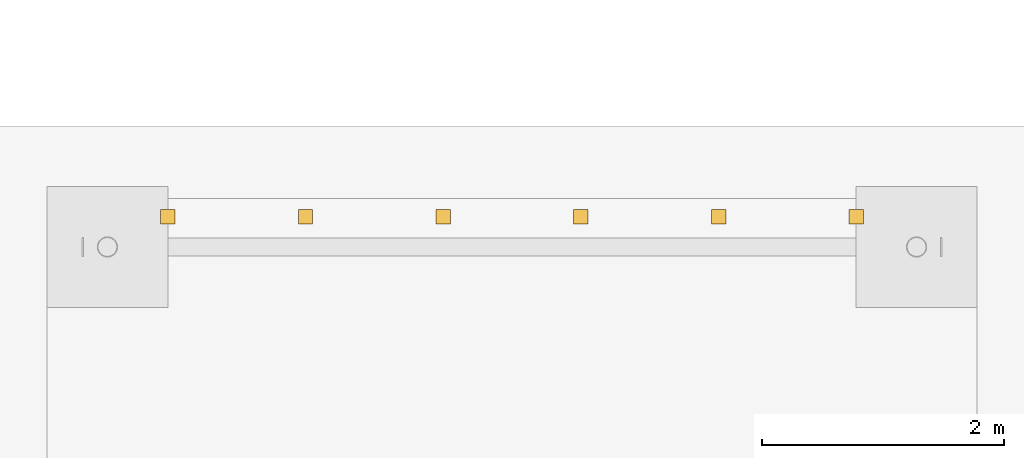
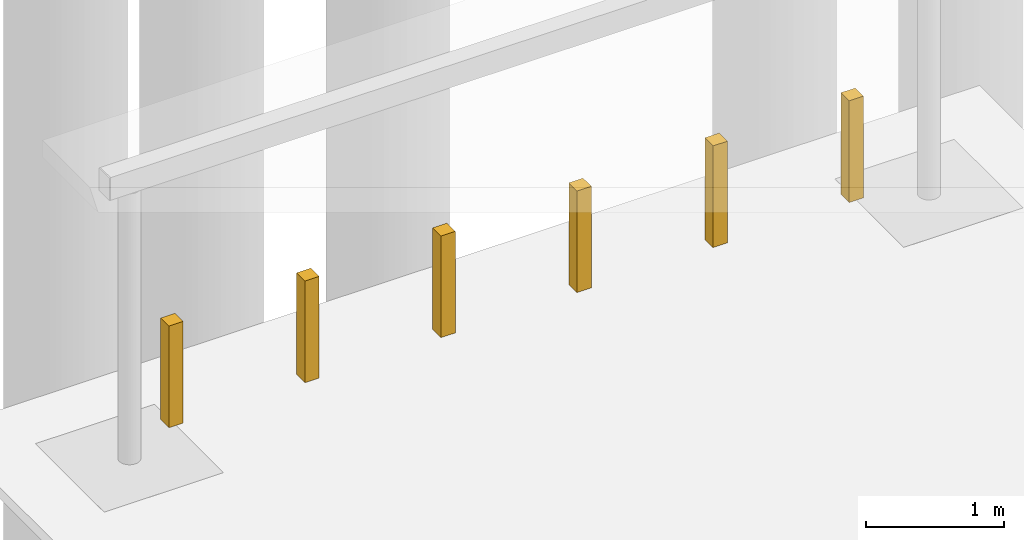
# One storey, part 92 of 99: 6 coverings.
"""IFC4 building model written with IfcOpenShell, lengths in metres."""

from ifc_helpers import new_model, si_unit, direction, origin, place, context, subcontext, project, spatial, polyline, outline, extrude, material, layer, layer_set, type_object, element, save


model = new_model("IFC4")

# Units and contexts
model_context = context("Model", 3, precision=1e-05, world=origin(), true_north=direction((0.0, 1.0)))
body_context = subcontext(model_context, "Body", "Model", "MODEL_VIEW")
ifc_project = project(units=[si_unit("LENGTHUNIT", "METRE"), si_unit("AREAUNIT", "SQUARE_METRE"), si_unit("VOLUMEUNIT", "CUBIC_METRE"), si_unit("PLANEANGLEUNIT", "RADIAN"), si_unit("MASSUNIT", "GRAM", prefix="KILO")], contexts=[model_context])

# Site, building, storey
site_placement = place(None, origin())
site = spatial("IfcSite", under=ifc_project, at=site_placement, CompositionType="ELEMENT")
building_placement = place(site_placement, origin())
building = spatial("IfcBuilding", under=site, at=building_placement, Name="Cour d'Honneur Mobility Palace", CompositionType="ELEMENT")
storey_placement = place(building_placement, origin())
storey = spatial("IfcBuildingStorey", under=building, at=storey_placement, Name="L00", CompositionType="ELEMENT", Elevation=0.0)

# Coverings
ifc_material = material(Name="Galvanised steel", Category="steel")
ifc_layer = layer(ifc_material, 0.10009765625)
ifc_layer_set = layer_set([ifc_layer], Name="Galvanised steel")
covering_type = type_object("IfcCoveringType", Name="Bicycle dock", PredefinedType="CLADDING", material=ifc_layer_set)
covering_1_placement = place(storey_placement, origin())
element("IfcCovering", 1, at=covering_1_placement, inside=storey, type_object=covering_type, Name="Bicycle dock BD-E1", PredefinedType="CLADDING", context=body_context, shape_type="SweptSolid", body=[
    extrude(outline(polyline([(115.639892578125, 19.7900390625), (115.760009765625, 19.7900390625), (115.760009765625, 19.909912109375), (115.639892578125, 19.909912109375), (115.639892578125, 19.7900390625)])), origin(), (0.0, 0.0, 1.0), 0.89990234375),
])
covering_2_placement = place(storey_placement, origin())
element("IfcCovering", 2, at=covering_2_placement, inside=storey, type_object=covering_type, Name="Bicycle dock BD-E2", PredefinedType="CLADDING", context=body_context, shape_type="SweptSolid", body=[
    extrude(outline(polyline([(116.780029296875, 19.7900390625), (116.89990234375, 19.7900390625), (116.89990234375, 19.909912109375), (116.780029296875, 19.909912109375), (116.780029296875, 19.7900390625)])), origin(), (0.0, 0.0, 1.0), 0.89990234375),
])
covering_3_placement = place(storey_placement, origin())
element("IfcCovering", 3, at=covering_3_placement, inside=storey, type_object=covering_type, Name="Bicycle dock BD-E3", PredefinedType="CLADDING", context=body_context, shape_type="SweptSolid", body=[
    extrude(outline(polyline([(117.919921875, 19.7900390625), (118.0400390625, 19.7900390625), (118.0400390625, 19.909912109375), (117.919921875, 19.909912109375), (117.919921875, 19.7900390625)])), origin(), (0.0, 0.0, 1.0), 0.89990234375),
])
covering_4_placement = place(storey_placement, origin())
element("IfcCovering", 4, at=covering_4_placement, inside=storey, type_object=covering_type, Name="Bicycle dock BD-E4", PredefinedType="CLADDING", context=body_context, shape_type="SweptSolid", body=[
    extrude(outline(polyline([(119.06005859375, 19.7900390625), (119.179931640625, 19.7900390625), (119.179931640625, 19.909912109375), (119.06005859375, 19.909912109375), (119.06005859375, 19.7900390625)])), origin(), (0.0, 0.0, 1.0), 0.89990234375),
])
covering_5_placement = place(storey_placement, origin())
element("IfcCovering", 5, at=covering_5_placement, inside=storey, type_object=covering_type, Name="Bicycle dock BD-E5", PredefinedType="CLADDING", context=body_context, shape_type="SweptSolid", body=[
    extrude(outline(polyline([(120.199951171875, 19.7900390625), (120.320068359375, 19.7900390625), (120.320068359375, 19.909912109375), (120.199951171875, 19.909912109375), (120.199951171875, 19.7900390625)])), origin(), (0.0, 0.0, 1.0), 0.89990234375),
])
covering_6_placement = place(storey_placement, origin())
element("IfcCovering", 6, at=covering_6_placement, inside=storey, type_object=covering_type, Name="Bicycle dock BD-E6", PredefinedType="CLADDING", context=body_context, shape_type="SweptSolid", body=[
    extrude(outline(polyline([(121.340087890625, 19.7900390625), (121.4599609375, 19.7900390625), (121.4599609375, 19.909912109375), (121.340087890625, 19.909912109375), (121.340087890625, 19.7900390625)])), origin(), (0.0, 0.0, 1.0), 0.89990234375),
])

save(model, "model.ifc")
